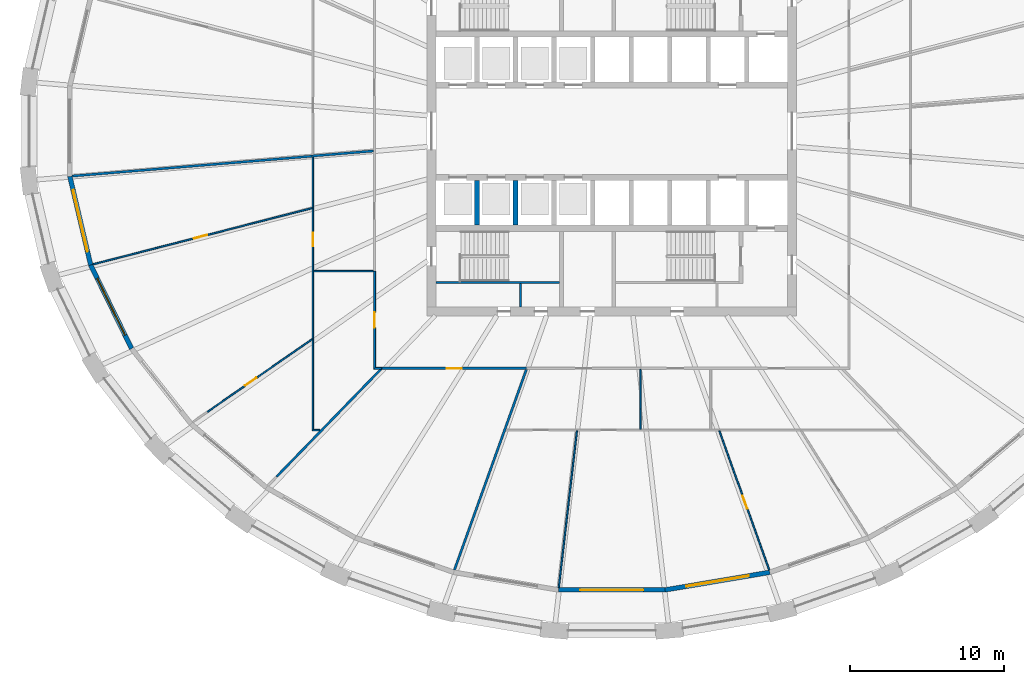
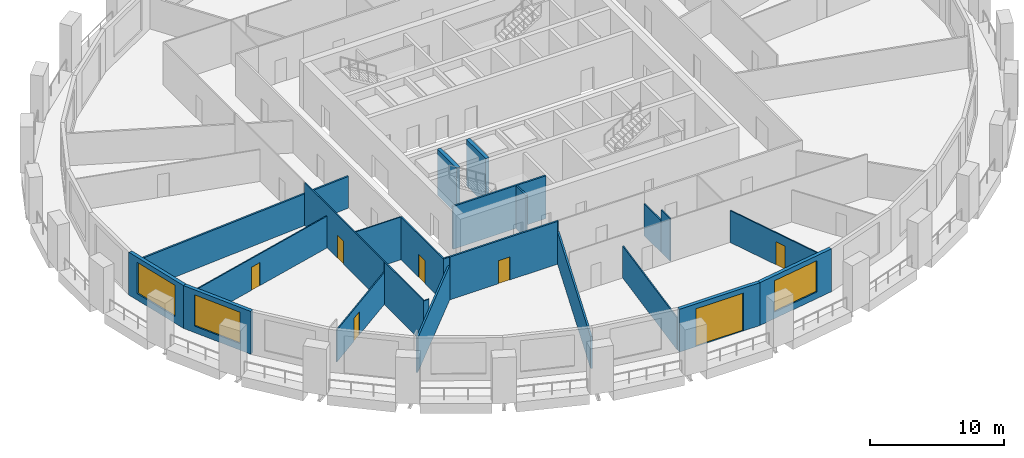
# One storey, part 3 of 12: 24 walls, 7 doors, 3 windows, 10 openings.
"""IFC4 building model written with IfcOpenShell, lengths in metres."""

import ifcopenshell
import ifcopenshell.guid

model = None  # the IFC model being written
_history = None  # IfcOwnerHistory: only IFC2X3 demands one
_inside = {}  # id of a spatial element -> (the spatial element, [elements in it])
_under = {}  # id of a project, library or spatial element -> (it, [spatial elements below it])
_declared = {}  # id of a project -> (the project, [libraries it declares])
_typed = {}  # id of a type object -> (the type object, [elements of that type])
_made_of = {}  # id of a material, layer set ... -> (it, [elements and type objects made of it])


def new_model(schema):
    """Start an empty IFC model of exactly this schema.

    Asked for "IFC4X3", IfcOpenShell would pick the latest addendum, in which some entities
    have other attributes; the version numbers below select the first issue.
    IFC2X3 requires an IfcOwnerHistory on every rooted entity: one is made here for all.
    """
    global model, _history
    if schema == "IFC4X3":
        model = ifcopenshell.file(schema_version=(4, 3, 0, 0))
    else:
        model = ifcopenshell.file(schema=schema)
    _inside.clear()
    _under.clear()
    _declared.clear()
    _typed.clear()
    _made_of.clear()
    _history = None
    if model.schema == "IFC2X3":
        org = make("IfcOrganization", Name="unknown")
        user = make(
            "IfcPersonAndOrganization",
            ThePerson=make("IfcPerson", FamilyName="unknown"),
            TheOrganization=org,
        )
        app = make(
            "IfcApplication",
            ApplicationDeveloper=org,
            Version="unknown",
            ApplicationFullName="unknown",
            ApplicationIdentifier="unknown",
        )
        _history = make(
            "IfcOwnerHistory",
            OwningUser=user,
            OwningApplication=app,
            ChangeAction="ADDED",
            CreationDate=0,
        )
    return model


def make(cls, **values):
    """One entity of the class cls with the attributes given. An attribute that is None is left unset."""
    return model.create_entity(
        cls, **{name: value for name, value in values.items() if value is not None}
    )


def rooted(cls, **values):
    """An entity with a GlobalId (a new one), such as an element, a storey or a relation."""
    return make(cls, GlobalId=ifcopenshell.guid.new(), OwnerHistory=_history, **values)


def si_unit(unit_type, name, prefix=None):
    """IfcSIUnit, for example si_unit("LENGTHUNIT", "METRE", prefix="MILLI")."""
    return make("IfcSIUnit", UnitType=unit_type, Prefix=prefix, Name=name)


def assignment(units):
    """IfcUnitAssignment: the units of a project."""
    return None if units is None else make("IfcUnitAssignment", Units=units)


def point(xyz):
    """IfcCartesianPoint."""
    return None if xyz is None else make("IfcCartesianPoint", Coordinates=xyz)


def direction(xyz):
    """IfcDirection."""
    return None if xyz is None else make("IfcDirection", DirectionRatios=xyz)


def frame(location, z_axis=None, x_axis=None):
    """IfcAxis2Placement3D, a coordinate frame: its origin and axes. An axis left out is left unset."""
    return make(
        "IfcAxis2Placement3D",
        Location=point(location),
        Axis=direction(z_axis),
        RefDirection=direction(x_axis),
    )


def frame_2d(location, x_axis=None):
    """IfcAxis2Placement2D, a coordinate frame in the plane: its origin and x axis."""
    return make(
        "IfcAxis2Placement2D", Location=point(location), RefDirection=direction(x_axis)
    )


def origin():
    """The frame at (0, 0, 0) with its axes left unset."""
    return frame((0.0, 0.0, 0.0))


def place(relative_to, where):
    """IfcLocalPlacement: puts the frame where relative to a parent placement (None: the world)."""
    return make(
        "IfcLocalPlacement", PlacementRelTo=relative_to, RelativePlacement=where
    )


def context(
    kind, dimensions, precision=None, world=None, true_north=None, identifier=None
):
    """IfcGeometricRepresentationContext, for example the 3D "Model" context."""
    return make(
        "IfcGeometricRepresentationContext",
        ContextIdentifier=identifier,
        ContextType=kind,
        CoordinateSpaceDimension=dimensions,
        Precision=precision,
        WorldCoordinateSystem=world,
        TrueNorth=true_north,
    )


def subcontext(parent, identifier, kind, view, scale=None):
    """IfcGeometricRepresentationSubContext, for example "Body" below "Model"."""
    return make(
        "IfcGeometricRepresentationSubContext",
        ContextIdentifier=identifier,
        ContextType=kind,
        ParentContext=parent,
        TargetScale=scale,
        TargetView=view,
    )


def project(units=None, contexts=None):
    """IfcProject with its units and contexts."""
    return rooted(
        "IfcProject",
        Name="project",
        RepresentationContexts=contexts,
        UnitsInContext=assignment(units),
    )


def spatial(cls, under=None, at=None, **own):
    """A site, building, storey or space (cls), placed at a placement, below another one or the project."""
    s = rooted(cls, ObjectPlacement=at, **own)
    if under is not None:
        _under.setdefault(under.id(), (under, []))[1].append(s)
    return s


def polyline(points):
    """IfcPolyline through the points."""
    return make("IfcPolyline", Points=[point(p) for p in points])


def profile(cls, at=None, kind="AREA", **sizes):
    """A parametric profile (cls). Its sizes go by their IFC names, for example OverallWidth=200.0."""
    return make(cls, ProfileType=kind, Position=at, **sizes)


def rectangle(**sizes):
    """IfcRectangleProfileDef."""
    return profile("IfcRectangleProfileDef", **sizes)


def outline(outer, holes=None, kind="AREA"):
    """IfcArbitraryClosedProfileDef: a profile drawn as a closed curve; with holes, ...WithVoids."""
    if holes is None:
        return make("IfcArbitraryClosedProfileDef", ProfileType=kind, OuterCurve=outer)
    return make(
        "IfcArbitraryProfileDefWithVoids",
        ProfileType=kind,
        OuterCurve=outer,
        InnerCurves=holes,
    )


def extrude(swept, where, along, depth):
    """IfcExtrudedAreaSolid: the profile swept, set in the frame where, extruded along a direction by depth."""
    return make(
        "IfcExtrudedAreaSolid",
        SweptArea=swept,
        Position=where,
        ExtrudedDirection=direction(along),
        Depth=depth,
    )


def shape(context_of_items, identifier, shape_type, items):
    """IfcShapeRepresentation: the items that make up one representation, for example the "Body"."""
    return make(
        "IfcShapeRepresentation",
        ContextOfItems=context_of_items,
        RepresentationIdentifier=identifier,
        RepresentationType=shape_type,
        Items=items,
    )


def material(Name=None, Category=None):
    """IfcMaterial."""
    return make("IfcMaterial", Name=Name, Category=Category)


def layer(
    of_material, thickness, ventilated=None, Name=None, Category=None, Priority=None
):
    """IfcMaterialLayer: one layer of a wall or slab, of a material (None: an air gap)."""
    return make(
        "IfcMaterialLayer",
        Material=of_material,
        LayerThickness=thickness,
        IsVentilated=ventilated,
        Name=Name,
        Category=Category,
        Priority=Priority,
    )


def layer_set(layers, Name=None):
    """IfcMaterialLayerSet."""
    return make("IfcMaterialLayerSet", MaterialLayers=layers, LayerSetName=Name)


def made_of(thing, what):
    """Note that an element or type object is made of a material, layer set ...; save() writes the relation."""
    if what is not None:
        _made_of.setdefault(what.id(), (what, []))[1].append(thing)
    return thing


def type_object(cls, material=None, **own):
    """A type object (cls), such as IfcWallType, which elements share."""
    return made_of(rooted(cls, **own), material)


def element(
    cls,
    number,
    at=None,
    inside=None,
    cuts=None,
    type_object=None,
    material=None,
    context=None,
    identifier="Body",
    shape_type=None,
    held_by="IfcProductDefinitionShape",
    body=None,
    shapes=None,
    **own,
):
    """One element of the class cls, such as IfcWall. Its Tag is "e" and its number.

    at: its placement. inside: the storey or other place that contains it. cuts: it is an
    opening in that element (IfcRelVoidsElement). A single representation is given by context,
    identifier, shape_type and body (its items); several are given by shapes. held_by: the class
    of the entity that holds the representations. save() writes the other relations.
    """
    e = rooted(cls, Tag="e%d" % number, ObjectPlacement=at, **own)
    if body is not None:
        shapes = [shape(context, identifier, shape_type, body)]
    if shapes is not None:
        e.Representation = make(held_by, Representations=shapes)
    if inside is not None:
        _inside.setdefault(inside.id(), (inside, []))[1].append(e)
    if cuts is not None:
        rooted(
            "IfcRelVoidsElement", RelatingBuildingElement=cuts, RelatedOpeningElement=e
        )
    if type_object is not None:
        _typed.setdefault(type_object.id(), (type_object, []))[1].append(e)
    return made_of(e, material)


def fill(opening, filler):
    """IfcRelFillsElement: the door or window that sits in an opening."""
    return rooted(
        "IfcRelFillsElement",
        RelatingOpeningElement=opening,
        RelatedBuildingElement=filler,
    )


def aggregate(whole, parts):
    """IfcRelAggregates: a whole, such as a stair, and the parts it consists of."""
    return rooted("IfcRelAggregates", RelatingObject=whole, RelatedObjects=parts)


def save(model, path):
    """Write the relations noted so far, then the file.

    IfcRelAggregates (storeys below a building ...), IfcRelContainedInSpatialStructure (elements
    in a storey), IfcRelDefinesByType, IfcRelAssociatesMaterial and IfcRelDeclares: one each for
    every whole, place, type object, material and project.
    """
    for whole, parts in _under.values():
        aggregate(whole, parts)
    for where, things in _inside.values():
        rooted(
            "IfcRelContainedInSpatialStructure",
            RelatedElements=things,
            RelatingStructure=where,
        )
    for kind, things in _typed.values():
        rooted("IfcRelDefinesByType", RelatedObjects=things, RelatingType=kind)
    for what, things in _made_of.values():
        rooted("IfcRelAssociatesMaterial", RelatedObjects=things, RelatingMaterial=what)
    for by, libraries in _declared.values():
        rooted("IfcRelDeclares", RelatingContext=by, RelatedDefinitions=libraries)
    model.write(path)


model = new_model("IFC4")

# Units and contexts
model_context = context("Model", 3, precision=1e-05, world=origin(), true_north=direction((0.0, 1.0)))
body_context = subcontext(model_context, "Body", "Model", "MODEL_VIEW")
ifc_project = project(units=[si_unit("LENGTHUNIT", "METRE"), si_unit("AREAUNIT", "SQUARE_METRE"), si_unit("VOLUMEUNIT", "CUBIC_METRE"), si_unit("PLANEANGLEUNIT", "RADIAN"), si_unit("MASSUNIT", "GRAM", prefix="KILO")], contexts=[model_context])

# Site, building, storey
site_placement = place(None, origin())
site = spatial("IfcSite", under=ifc_project, at=site_placement, CompositionType="ELEMENT")
building_placement = place(site_placement, origin())
building = spatial("IfcBuilding", under=site, at=building_placement, Name="Halqa Exchange Tower", CompositionType="ELEMENT")
storey_placement = place(building_placement, frame((0.0, 0.0, 27.699951171875)))
storey = spatial("IfcBuildingStorey", under=building, at=storey_placement, Name="L05", CompositionType="ELEMENT", Elevation=27.699951171875)

# Walls
ifc_material_1 = material(Name="Fire-rated gypsum board")
ifc_layer_1 = layer(ifc_material_1, 0.14990234375)
ifc_layer_set_1 = layer_set([ifc_layer_1], Name="Fire-rated gypsum board")
wall_type_1 = type_object("IfcWallType", Name="Fire partition EI 60 150", PredefinedType="PARTITIONING", material=ifc_layer_set_1)
wall_1_placement = place(storey_placement, frame((-19.44921875, -1.6240234375, 0.0), z_axis=(0.0, 0.0, 1.0), x_axis=(-0.996584649275, -0.082577459574, 0.0)))
element("IfcWall", 1, at=wall_1_placement, inside=storey, type_object=wall_type_1, Name="L05-PWL-007", PredefinedType="PARTITIONING", context=body_context, shape_type="SweptSolid", body=[
    extrude(outline(polyline([(15.628173828125, -0.074951171875), (15.628173828125, 0.048095703125), (15.624267578125, 0.074951171875), (13.672119140625, 0.074951171875), (11.719970703125, 0.074951171875), (9.767822265625, 0.074951171875), (7.815673828125, 0.074951171875), (5.863525390625, 0.074951171875), (3.911376953125, 0.074951171875), (1.959228515625, 0.074951171875), (0.007080078125, 0.074951171875), (0.005615234375, 0.05712890625), (0.0, 0.0576171875), (0.0, -0.074951171875), (1.95361328125, -0.074951171875), (3.906982421875, -0.074951171875), (5.860595703125, -0.074951171875), (7.81396484375, -0.074951171875), (9.767578125, -0.074951171875), (11.72119140625, -0.074951171875), (13.674560546875, -0.074951171875), (15.628173828125, -0.074951171875)])), origin(), (0.0, 0.0, 1.0), 2.89208984375),
])
wall_2_placement = place(storey_placement, frame((-15.46923828125, -1.28564453125, 0.0), z_axis=(0.0, 0.0, 1.0), x_axis=(-0.996614549641, -0.082215810186, 0.0)))
element("IfcWall", 2, at=wall_2_placement, inside=storey, type_object=wall_type_1, Name="L05-PWL-016", PredefinedType="PARTITIONING", context=body_context, shape_type="SweptSolid", body=[
    extrude(outline(polyline([(0.0, -0.074951171875), (1.94384765625, -0.074951171875), (3.8876953125, -0.074951171875), (3.888427734375, -0.067138671875), (3.984130859375, -0.074951171875), (3.993896484375, -0.074951171875), (3.993896484375, 0.067626953125), (3.90625, 0.074951171875), (1.959228515625, 0.074951171875), (0.011962890625, 0.074951171875), (0.0, -0.070068359375), (0.0, -0.074951171875)])), origin(), (0.0, 0.0, 1.0), 2.89208984375),
])
wall_3_placement = place(storey_placement, frame((-10.219482421875, -28.489501953125, 0.0), z_axis=(0.0, 0.0, 1.0), x_axis=(0.337910330096, 0.941178308725, 0.0)))
element("IfcWall", 3, at=wall_3_placement, inside=storey, type_object=wall_type_1, Name="L05-PWL-022", PredefinedType="PARTITIONING", context=body_context, shape_type="SweptSolid", body=[
    extrude(outline(polyline([(0.013671875, -0.074951171875), (1.957763671875, -0.074951171875), (3.901611328125, -0.074951171875), (5.845458984375, -0.074951171875), (7.789306640625, -0.074951171875), (9.733154296875, -0.074951171875), (9.737060546875, -0.073486328125), (9.737548828125, -0.074951171875), (11.115234375, -0.074951171875), (12.492919921875, -0.074951171875), (13.87060546875, -0.074951171875), (13.87060546875, -0.07470703125), (13.8525390625, -0.0244140625), (13.8525390625, -0.0244140625), (13.85107421875, -0.020263671875), (13.8369140625, -0.025390625), (13.801025390625, 0.074951171875), (11.829345703125, 0.074951171875), (9.85791015625, 0.074951171875), (7.88623046875, 0.074951171875), (5.914794921875, 0.074951171875), (3.943115234375, 0.074951171875), (1.9716796875, 0.074951171875), (0.0, 0.074951171875), (0.0, 0.06640625), (0.00048828125, -0.00146484375), (0.013671875, -0.074951171875)])), origin(), (0.0, 0.0, 1.0), 2.91015625),
])

# Wall, opening, door
wall_4_placement = place(storey_placement, frame((-5.52001953125, -15.39990234375, 0.0), z_axis=(0.0, 0.0, 1.0), x_axis=(-1.0, 0.0, 0.0)))
wall_4 = element("IfcWall", 4, at=wall_4_placement, inside=storey, type_object=wall_type_1, Name="L05-PWL-025", PredefinedType="PARTITIONING", context=body_context, shape_type="SweptSolid", body=[
    extrude(outline(polyline([(0.0, -0.074951171875), (1.964111328125, -0.074951171875), (3.927978515625, -0.074951171875), (5.89208984375, -0.074951171875), (7.85595703125, -0.074951171875), (9.820068359375, -0.074951171875), (9.820068359375, -0.059814453125), (9.419921875, -0.059814453125), (9.419921875, 0.044677734375), (9.388916015625, 0.074951171875), (7.532470703125, 0.074951171875), (5.676025390625, 0.074951171875), (3.819580078125, 0.074951171875), (1.963134765625, 0.074951171875), (0.1064453125, 0.074951171875), (0.0830078125, 0.009521484375), (0.0, 0.039306640625), (0.0, -0.074951171875)])), origin(), (0.0, 0.0, 1.0), 3.900146484375),
])
opening_1_placement = place(wall_4_placement, frame((4.2099609375, 0.0, 0.0)))
opening_1 = element("IfcOpeningElement", 5, at=opening_1_placement, cuts=wall_4, Name="Opening 01-13", PredefinedType="OPENING", context=body_context, shape_type="SweptSolid", body=[
    extrude(rectangle(XDim=1.0, YDim=2.10009765625, at=frame_2d((0.5, 1.050048828125))), frame((0.0, 0.0869140625, 0.0), z_axis=(0.0, -1.0, 0.0), x_axis=(1.0, 0.0, 0.0)), (0.0, 0.0, 1.0), 0.173828125),
])
ifc_material_2 = material(Name="Steel fire door leaf", Category="steel")
door_type_1 = type_object("IfcDoorType", Name="Fire door FD30S 1000 x 2100", OperationType="SINGLE_SWING_LEFT", PredefinedType="DOOR", material=ifc_material_2)
door_1_placement = place(opening_1_placement, origin())
door_1 = element("IfcDoor", 6, at=door_1_placement, inside=storey, type_object=door_type_1, Name="L05-IDR-013", OperationType="SINGLE_SWING_RIGHT", OverallHeight=2.10009765625, OverallWidth=1.0, PredefinedType="DOOR", context=body_context, shape_type="SweptSolid", body=[
    extrude(rectangle(XDim=1.0, YDim=2.10009765625, at=frame_2d((0.5, 1.050048828125))), frame((0.0, 0.02490234375, 0.0), z_axis=(0.0, -1.0, 0.0), x_axis=(1.0, 0.0, 0.0)), (0.0, 0.0, 1.0), 0.050048828125),
])
fill(opening_1, door_1)

# Wall
wall_5_placement = place(storey_placement, frame((-21.7587890625, -22.42529296875, 0.0), z_axis=(0.0, 0.0, 1.0), x_axis=(0.696482576403, 0.717573704066, 0.0)))
element("IfcWall", 7, at=wall_5_placement, inside=storey, type_object=wall_type_1, Name="L05-PWL-048", PredefinedType="PARTITIONING", context=body_context, shape_type="SweptSolid", body=[
    extrude(outline(polyline([(9.758056640625, -0.074951171875), (9.758056640625, -0.074462890625), (9.736572265625, -0.05224609375), (9.747314453125, -0.041748046875), (9.687744140625, 0.01953125), (9.687744140625, 0.01953125), (9.634033203125, 0.074951171875), (7.781982421875, 0.074951171875), (5.929931640625, 0.074951171875), (4.07763671875, 0.074951171875), (4.07568359375, 0.07275390625), (4.073486328125, 0.074951171875), (2.7158203125, 0.074951171875), (1.35791015625, 0.074951171875), (0.0, 0.074951171875), (0.0, -0.074951171875), (1.95166015625, -0.074951171875), (3.9033203125, -0.074951171875), (5.854736328125, -0.074951171875), (7.806396484375, -0.074951171875), (9.758056640625, -0.074951171875)])), origin(), (0.0, 0.0, 1.0), 3.14697265625),
])

# Wall, opening, door
ifc_material_3 = material(Name="Fire-rated glazing", Category="glass")
ifc_layer_2 = layer(ifc_material_3, 0.1201171875)
ifc_layer_set_2 = layer_set([ifc_layer_2], Name="Fire-rated glazing")
wall_type_2 = type_object("IfcWallType", Name="Glazed fire partition EI 60 120", PredefinedType="PARTITIONING", material=ifc_layer_set_2)
wall_6_placement = place(storey_placement, frame((-15.39990234375, -15.4599609375, 0.0), z_axis=(0.0, 0.0, 1.0), x_axis=(0.0, 1.0, 0.0)))
wall_6 = element("IfcWall", 8, at=wall_6_placement, inside=storey, type_object=wall_type_2, Name="L05-PWL-014", PredefinedType="PARTITIONING", context=body_context, shape_type="SweptSolid", body=[
    extrude(outline(polyline([(6.369873046875, 0.06005859375), (4.77734375, 0.06005859375), (3.18505859375, 0.06005859375), (1.592529296875, 0.06005859375), (0.0, 0.06005859375), (0.1201171875, -0.06005859375), (1.6826171875, -0.06005859375), (3.2451171875, -0.06005859375), (4.807373046875, -0.06005859375), (6.369873046875, -0.06005859375), (6.369873046875, 0.06005859375)])), origin(), (0.0, 0.0, 1.0), 3.900146484375),
])
opening_2_placement = place(wall_6_placement, frame((2.715087890625, 0.0, 0.0)))
opening_2 = element("IfcOpeningElement", 9, at=opening_2_placement, cuts=wall_6, Name="Opening 01-11", PredefinedType="OPENING", context=body_context, shape_type="SweptSolid", body=[
    extrude(rectangle(XDim=1.0, YDim=2.10009765625, at=frame_2d((0.5, 1.050048828125))), frame((0.0, 0.072021484375, 0.0), z_axis=(0.0, -1.0, 0.0), x_axis=(1.0, 0.0, 0.0)), (0.0, 0.0, 1.0), 0.14404296875),
])
door_2_placement = place(opening_2_placement, origin())
door_2 = element("IfcDoor", 10, at=door_2_placement, inside=storey, type_object=door_type_1, Name="L05-IDR-011", OperationType="SINGLE_SWING_LEFT", OverallHeight=2.10009765625, OverallWidth=1.0, PredefinedType="DOOR", context=body_context, shape_type="SweptSolid", body=[
    extrude(rectangle(XDim=1.0, YDim=2.10009765625, at=frame_2d((0.5, 1.050048828125))), frame((0.0, 0.02490234375, 0.0), z_axis=(0.0, -1.0, 0.0), x_axis=(1.0, 0.0, 0.0)), (0.0, 0.0, 1.0), 0.050048828125),
])
fill(opening_2, door_2)

# Wall
wall_7_placement = place(storey_placement, frame((-14.93994140625, -15.39990234375, 0.0), z_axis=(0.0, 0.0, 1.0), x_axis=(-1.0, 0.0, 0.0)))
element("IfcWall", 11, at=wall_7_placement, inside=storey, type_object=wall_type_2, Name="L05-PWL-018", PredefinedType="PARTITIONING", context=body_context, shape_type="SweptSolid", body=[
    extrude(outline(polyline([(0.0, -0.06005859375), (0.39990234375, -0.06005859375), (0.52001953125, 0.06005859375), (0.0, 0.06005859375), (0.0, -0.06005859375)])), origin(), (0.0, 0.0, 1.0), 3.900146484375),
])

# Wall, opening, door
ifc_material_4 = material(Name="Gypsum board")
ifc_layer_3 = layer(ifc_material_4, 0.10009765625)
ifc_layer_set_3 = layer_set([ifc_layer_3], Name="Gypsum board")
wall_type_3 = type_object("IfcWallType", Name="Partition 100 gypsum", PredefinedType="PARTITIONING", material=ifc_layer_set_3)
wall_8_placement = place(storey_placement, frame((-19.39990234375, -19.449951171875, 0.0), z_axis=(0.0, 0.0, 1.0), x_axis=(0.0, 1.0, 0.0)))
wall_8 = element("IfcWall", 12, at=wall_8_placement, inside=storey, type_object=wall_type_3, Name="L05-PWL-003", PredefinedType="PARTITIONING", context=body_context, shape_type="SweptSolid", body=[
    extrude(outline(polyline([(0.10009765625, -0.050048828125), (1.8017578125, -0.050048828125), (3.50341796875, -0.050048828125), (5.205078125, -0.050048828125), (6.90673828125, -0.050048828125), (8.6083984375, -0.050048828125), (10.31005859375, -0.050048828125), (10.31005859375, -0.0498046875), (10.409912109375, -0.0498046875), (10.409912109375, -0.050048828125), (12.24951171875, -0.050048828125), (14.08935546875, -0.050048828125), (15.928955078125, -0.050048828125), (17.7685546875, -0.050048828125), (17.7685546875, -0.046630859375), (17.760986328125, 0.043701171875), (17.7685546875, 0.04443359375), (17.7685546875, 0.045166015625), (17.7509765625, 0.043701171875), (17.75048828125, 0.050048828125), (16.081787109375, 0.050048828125), (14.4130859375, 0.050048828125), (14.406005859375, 0.048095703125), (14.405517578125, 0.050048828125), (12.702392578125, 0.050048828125), (10.999267578125, 0.050048828125), (9.2958984375, 0.050048828125), (7.5927734375, 0.050048828125), (5.8896484375, 0.050048828125), (5.88623046875, 0.047607421875), (5.884521484375, 0.050048828125), (3.9228515625, 0.050048828125), (1.96142578125, 0.050048828125), (0.0, 0.050048828125), (0.099853515625, -0.0498046875), (0.10009765625, -0.050048828125)])), origin(), (0.0, 0.0, 1.0), 3.900146484375),
])
opening_3_placement = place(wall_8_placement, frame((11.965087890625, 0.0, 0.0)))
opening_3 = element("IfcOpeningElement", 13, at=opening_3_placement, cuts=wall_8, Name="Opening 01-25", PredefinedType="OPENING", context=body_context, shape_type="SweptSolid", body=[
    extrude(rectangle(XDim=0.89990234375, YDim=2.10009765625, at=frame_2d((0.449951171875, 1.050048828125))), frame((0.0, 0.06201171875, 0.0), z_axis=(0.0, -1.0, 0.0), x_axis=(1.0, 0.0, 0.0)), (0.0, 0.0, 1.0), 0.1240234375),
])
ifc_material_5 = material(Name="Timber door leaf", Category="wood")
door_type_2 = type_object("IfcDoorType", Name="Door 900 x 2100", OperationType="SINGLE_SWING_LEFT", PredefinedType="DOOR", material=ifc_material_5)
door_3_placement = place(opening_3_placement, frame((0.89990234375, 0.0, 0.0), z_axis=(0.0, 0.0, 1.0), x_axis=(-1.0, 0.0, 0.0)))
door_3 = element("IfcDoor", 14, at=door_3_placement, inside=storey, type_object=door_type_2, Name="L05-IDR-025", OperationType="SINGLE_SWING_LEFT", OverallHeight=2.10009765625, OverallWidth=0.89990234375, PredefinedType="DOOR", context=body_context, shape_type="SweptSolid", body=[
    extrude(rectangle(XDim=0.89990234375, YDim=2.10009765625, at=frame_2d((0.449951171875, 1.050048828125))), frame((0.0, 0.02490234375, 0.0), z_axis=(0.0, -1.0, 0.0), x_axis=(1.0, 0.0, 0.0)), (0.0, 0.0, 1.0), 0.050048828125),
])
fill(opening_3, door_3)

wall_9_placement = place(storey_placement, frame((-19.421875, -13.485107421875, 0.0), z_axis=(0.0, 0.0, 1.0), x_axis=(-0.821711016695, -0.569904382368, 0.0)))
wall_9 = element("IfcWall", 15, at=wall_9_placement, inside=storey, type_object=wall_type_3, Name="L05-PWL-004", PredefinedType="PARTITIONING", context=body_context, shape_type="SweptSolid", body=[
    extrude(outline(polyline([(8.334228515625, 0.050048828125), (6.68115234375, 0.050048828125), (5.028076171875, 0.050048828125), (3.375, 0.050048828125), (1.721923828125, 0.050048828125), (0.06884765625, 0.050048828125), (0.0, -0.04931640625), (0.0, -0.050048828125), (1.666748046875, -0.050048828125), (3.333740234375, -0.050048828125), (5.00048828125, -0.050048828125), (6.66748046875, -0.050048828125), (8.334228515625, -0.050048828125), (8.334228515625, 0.050048828125)])), origin(), (0.0, 0.0, 1.0), 2.91015625),
])
opening_4_placement = place(wall_9_placement, frame((4.427978515625, 0.0, 0.0)))
opening_4 = element("IfcOpeningElement", 16, at=opening_4_placement, cuts=wall_9, Name="Opening 01-27", PredefinedType="OPENING", context=body_context, shape_type="SweptSolid", body=[
    extrude(rectangle(XDim=0.89990234375, YDim=2.10009765625, at=frame_2d((0.449951171875, 1.050048828125))), frame((0.0, 0.06201171875, 0.0), z_axis=(0.0, -1.0, 0.0), x_axis=(1.0, 0.0, 0.0)), (0.0, 0.0, 1.0), 0.1240234375),
])
door_4_placement = place(opening_4_placement, origin())
door_4 = element("IfcDoor", 17, at=door_4_placement, inside=storey, type_object=door_type_2, Name="L05-IDR-027", OperationType="SINGLE_SWING_RIGHT", OverallHeight=2.10009765625, OverallWidth=0.89990234375, PredefinedType="DOOR", context=body_context, shape_type="SweptSolid", body=[
    extrude(rectangle(XDim=0.89990234375, YDim=2.10009765625, at=frame_2d((0.449951171875, 1.050048828125))), frame((0.0, 0.02490234375, 0.0), z_axis=(0.0, -1.0, 0.0), x_axis=(1.0, 0.0, 0.0)), (0.0, 0.0, 1.0), 0.050048828125),
])
fill(opening_4, door_4)

# Wall
wall_10_placement = place(storey_placement, frame((-19.35009765625, -9.090087890625, 0.0), z_axis=(0.0, 0.0, 1.0), x_axis=(1.0, 0.0, 0.0)))
element("IfcWall", 18, at=wall_10_placement, inside=storey, type_object=wall_type_3, Name="L05-PWL-005", PredefinedType="PARTITIONING", context=body_context, shape_type="SweptSolid", body=[
    extrude(outline(polyline([(3.8896484375, -0.050048828125), (3.8896484375, 0.0), (3.875, 0.0), (3.875, 0.050048828125), (1.9375, 0.050048828125), (0.0, 0.050048828125), (0.0, -0.050048828125), (1.94482421875, -0.050048828125), (3.8896484375, -0.050048828125)])), origin(), (0.0, 0.0, 1.0), 3.900146484375),
])

# Wall, opening, door
wall_11_placement = place(storey_placement, frame((-19.437744140625, -4.98974609375, 0.0), z_axis=(0.0, 0.0, 1.0), x_axis=(-0.968638974519, -0.248472407007, 0.0)))
wall_11 = element("IfcWall", 19, at=wall_11_placement, inside=storey, type_object=wall_type_3, Name="L05-PWL-006", PredefinedType="PARTITIONING", context=body_context, shape_type="SweptSolid", body=[
    extrude(outline(polyline([(14.7060546875, -0.050048828125), (14.7060546875, 0.004150390625), (14.696533203125, 0.050048828125), (12.862548828125, 0.050048828125), (11.02880859375, 0.050048828125), (9.19482421875, 0.050048828125), (7.361083984375, 0.050048828125), (5.527099609375, 0.050048828125), (3.693359375, 0.050048828125), (1.859375, 0.050048828125), (0.025390625, 0.050048828125), (0.0, -0.04931640625), (0.0, -0.050048828125), (1.83837890625, -0.050048828125), (3.676513671875, -0.050048828125), (5.5146484375, -0.050048828125), (7.35302734375, -0.050048828125), (9.19140625, -0.050048828125), (11.029541015625, -0.050048828125), (12.86767578125, -0.050048828125), (14.7060546875, -0.050048828125)])), origin(), (0.0, 0.0, 1.0), 2.89208984375),
])
opening_5_placement = place(wall_11_placement, frame((7.037109375, 0.0, 0.0)))
opening_5 = element("IfcOpeningElement", 20, at=opening_5_placement, cuts=wall_11, Name="Opening 01-26", PredefinedType="OPENING", context=body_context, shape_type="SweptSolid", body=[
    extrude(rectangle(XDim=0.89990234375, YDim=2.10009765625, at=frame_2d((0.449951171875, 1.050048828125))), frame((0.0, 0.06201171875, 0.0), z_axis=(0.0, -1.0, 0.0), x_axis=(1.0, 0.0, 0.0)), (0.0, 0.0, 1.0), 0.1240234375),
])
door_5_placement = place(opening_5_placement, frame((0.89990234375, 0.0, 0.0), z_axis=(0.0, 0.0, 1.0), x_axis=(-1.0, 0.0, 0.0)))
door_5 = element("IfcDoor", 21, at=door_5_placement, inside=storey, type_object=door_type_2, Name="L05-IDR-026", OperationType="SINGLE_SWING_LEFT", OverallHeight=2.10009765625, OverallWidth=0.89990234375, PredefinedType="DOOR", context=body_context, shape_type="SweptSolid", body=[
    extrude(rectangle(XDim=0.89990234375, YDim=2.10009765625, at=frame_2d((0.449951171875, 1.050048828125))), frame((0.0, 0.02490234375, 0.0), z_axis=(0.0, -1.0, 0.0), x_axis=(1.0, 0.0, 0.0)), (0.0, 0.0, 1.0), 0.050048828125),
])
fill(opening_5, door_5)

# Walls
wall_12_placement = place(storey_placement, frame((-18.972412109375, -19.39990234375, 0.0), z_axis=(0.0, 0.0, 1.0), x_axis=(-1.0, 0.0, 0.0)))
element("IfcWall", 22, at=wall_12_placement, inside=storey, type_object=wall_type_3, Name="L05-PWL-012", PredefinedType="PARTITIONING", context=body_context, shape_type="SweptSolid", body=[
    extrude(outline(polyline([(0.0, -0.050048828125), (0.37744140625, -0.050048828125), (0.4775390625, 0.050048828125), (0.0, 0.050048828125), (0.0, -0.050048828125)])), origin(), (0.0, 0.0, 1.0), 3.900146484375),
])
wall_13_placement = place(storey_placement, frame((-3.44482421875, -29.6259765625, 0.0), z_axis=(0.0, 0.0, 1.0), x_axis=(0.115096942751, 0.993354263981, 0.0)))
element("IfcWall", 23, at=wall_13_placement, inside=storey, type_object=wall_type_3, Name="L05-PWL-027", PredefinedType="PARTITIONING", context=body_context, shape_type="SweptSolid", body=[
    extrude(outline(polyline([(10.24951171875, -0.050048828125), (10.24951171875, -0.047119140625), (10.23828125, 0.050048828125), (8.531982421875, 0.050048828125), (6.825439453125, 0.050048828125), (5.119140625, 0.050048828125), (3.412841796875, 0.050048828125), (1.706298828125, 0.050048828125), (0.0, 0.050048828125), (0.0, -0.017578125), (0.003662109375, -0.050048828125), (1.71142578125, -0.050048828125), (3.4189453125, -0.050048828125), (5.126708984375, -0.050048828125), (6.834228515625, -0.050048828125), (8.5419921875, -0.050048828125), (10.24951171875, -0.050048828125)])), origin(), (0.0, 0.0, 1.0), 2.91015625),
])
wall_14_placement = place(storey_placement, frame((1.8701171875, -15.46044921875, 0.0), z_axis=(0.0, 0.0, 1.0), x_axis=(0.0, -1.0, 0.0)))
element("IfcWall", 24, at=wall_14_placement, inside=storey, type_object=wall_type_3, Name="L05-PWL-029", PredefinedType="PARTITIONING", context=body_context, shape_type="SweptSolid", body=[
    extrude(outline(polyline([(2.58251953125, 0.050048828125), (1.298583984375, 0.050048828125), (0.0146484375, 0.050048828125), (0.0146484375, 0.0), (0.0, 0.0), (0.0, -0.050048828125), (1.291259765625, -0.050048828125), (2.58251953125, -0.050048828125), (2.58251953125, 0.050048828125)])), origin(), (0.0, 0.0, 1.0), 2.91015625),
])

# Wall, opening, door
wall_15_placement = place(storey_placement, frame((6.971923828125, -19.433349609375, 0.0), z_axis=(0.0, 0.0, 1.0), x_axis=(0.337548274923, -0.941308218437, 0.0)))
wall_15 = element("IfcWall", 25, at=wall_15_placement, inside=storey, type_object=wall_type_3, Name="L05-PWL-033", PredefinedType="PARTITIONING", context=body_context, shape_type="SweptSolid", body=[
    extrude(outline(polyline([(0.0, -0.050048828125), (1.92236328125, -0.050048828125), (3.8447265625, -0.050048828125), (5.766845703125, -0.050048828125), (7.689208984375, -0.050048828125), (9.611572265625, -0.050048828125), (9.620361328125, -0.001220703125), (9.620361328125, 0.002197265625), (9.620361328125, 0.050048828125), (7.703369140625, 0.050048828125), (5.786376953125, 0.050048828125), (3.86962890625, 0.050048828125), (1.95263671875, 0.050048828125), (0.03564453125, 0.050048828125), (0.0, -0.04931640625), (0.0, -0.050048828125)])), origin(), (0.0, 0.0, 1.0), 2.91015625),
])
opening_6_placement = place(wall_15_placement, frame((4.49169921875, 0.0, 0.0)))
opening_6 = element("IfcOpeningElement", 26, at=opening_6_placement, cuts=wall_15, Name="Opening 01-30", PredefinedType="OPENING", context=body_context, shape_type="SweptSolid", body=[
    extrude(rectangle(XDim=0.89990234375, YDim=2.10009765625, at=frame_2d((0.449951171875, 1.050048828125))), frame((0.0, 0.06201171875, 0.0), z_axis=(0.0, -1.0, 0.0), x_axis=(1.0, 0.0, 0.0)), (0.0, 0.0, 1.0), 0.1240234375),
])
door_6_placement = place(opening_6_placement, origin())
door_6 = element("IfcDoor", 27, at=door_6_placement, inside=storey, type_object=door_type_2, Name="L05-IDR-030", OperationType="SINGLE_SWING_RIGHT", OverallHeight=2.10009765625, OverallWidth=0.89990234375, PredefinedType="DOOR", context=body_context, shape_type="SweptSolid", body=[
    extrude(rectangle(XDim=0.89990234375, YDim=2.10009765625, at=frame_2d((0.449951171875, 1.050048828125))), frame((0.0, 0.02490234375, 0.0), z_axis=(0.0, -1.0, 0.0), x_axis=(1.0, 0.0, 0.0)), (0.0, 0.0, 1.0), 0.050048828125),
])
fill(opening_6, door_6)

# Walls
wall_16_placement = place(storey_placement, frame((1.8701171875, -18.04296875, 0.0), z_axis=(0.0, 0.0, 1.0), x_axis=(0.0, -1.0, 0.0)))
element("IfcWall", 28, at=wall_16_placement, inside=storey, type_object=wall_type_3, Name="L05-PWL-050", PredefinedType="PARTITIONING", context=body_context, shape_type="SweptSolid", body=[
    extrude(outline(polyline([(0.0, -0.050048828125), (1.30712890625, -0.050048828125), (1.30712890625, 0.050048828125), (0.0, 0.050048828125), (0.0, -0.050048828125)])), origin(), (0.0, 0.0, 1.0), 3.900146484375),
])
ifc_layer_4 = layer(ifc_material_4, 0.14990234375)
ifc_layer_set_4 = layer_set([ifc_layer_4], Name="Gypsum board")
wall_type_4 = type_object("IfcWallType", Name="Penthouse riser wall 150 gypsum", PredefinedType="PARTITIONING", material=ifc_layer_set_4)
wall_17_placement = place(storey_placement, frame((-5.925048828125, -11.39990234375, 0.0), z_axis=(0.0, 0.0, 1.0), x_axis=(0.0, 1.0, 0.0)))
element("IfcWall", 29, at=wall_17_placement, inside=storey, type_object=wall_type_4, Name="Partition W5.925 S", PredefinedType="PARTITIONING", context=body_context, shape_type="SweptSolid", body=[
    extrude(rectangle(XDim=1.5, YDim=0.14990234375, at=frame_2d((0.75, 0.0))), origin(), (0.0, 0.0, 1.0), 3.900146484375),
])
ifc_material_6 = material(Name="Concrete C60/75", Category="concrete")
ifc_layer_5 = layer(ifc_material_6, 0.300048828125)
ifc_layer_set_5 = layer_set([ifc_layer_5], Name="Concrete C60/75")
wall_type_5 = type_object("IfcWallType", Name="RC core wall 300", PredefinedType="SHEAR", material=ifc_layer_set_5)
for number, where, z_axis, x_axis, name in (
    (30, (-8.75, -6.10009765625, 0.0), (0.0, 0.0, 1.0), (0.0, 1.0, 0.0), "Shaft divider S1"),
    (31, (-6.25, -6.10009765625, 0.0), (0.0, 0.0, 1.0), (0.0, 1.0, 0.0), "Shaft divider S2"),
):
    element("IfcWall", number, at=place(storey_placement, frame(where, z_axis=z_axis, x_axis=x_axis)), inside=storey, type_object=wall_type_5, Name=name, PredefinedType="SHEAR", context=body_context, shape_type="SweptSolid", body=[
        extrude(rectangle(XDim=2.900146484375, YDim=0.300048828125, at=frame_2d((1.4501953125, 0.0))), origin(), (0.0, 0.0, 1.0), 4.199951171875),
    ])
ifc_material_7 = material(Name="Concrete C30/37", Category="concrete")
ifc_layer_6 = layer(ifc_material_7, 0.14990234375)
ifc_layer_set_6 = layer_set([ifc_layer_6], Name="Concrete C30/37")
wall_type_6 = type_object("IfcWallType", Name="RC stair wall 150 C30/37", PredefinedType="SHEAR", material=ifc_layer_set_6)
wall_18_placement = place(storey_placement, frame((-11.39990234375, -9.824951171875, 0.0), z_axis=(0.0, 0.0, 1.0), x_axis=(1.0, 0.0, 0.0)))
element("IfcWall", 32, at=wall_18_placement, inside=storey, type_object=wall_type_6, Name="Stair ST1 north wall S", PredefinedType="SHEAR", context=body_context, shape_type="SweptSolid", body=[
    extrude(rectangle(XDim=8.0, YDim=0.14990234375, at=frame_2d((4.0, 0.0))), origin(), (0.0, 0.0, 1.0), 3.900146484375),
])

# Wall, opening, window
ifc_material_8 = material(Name="Limestone cladding", Category="masonry")
ifc_layer_7 = layer(ifc_material_8, 0.0400390625)
ifc_material_9 = material(Name="Ventilated cavity")
ifc_layer_8 = layer(ifc_material_9, 0.030029296875, ventilated=True)
ifc_material_10 = material(Name="Mineral wool insulation")
ifc_layer_9 = layer(ifc_material_10, 0.10009765625)
ifc_layer_10 = layer(ifc_material_7, 0.10009765625)
ifc_material_11 = material(Name="Internal plaster")
ifc_layer_11 = layer(ifc_material_11, 0.030029296875)
ifc_layer_set_7 = layer_set([ifc_layer_7, ifc_layer_8, ifc_layer_9, ifc_layer_10, ifc_layer_11], Name="Stone-faced insulated wall 300")
wall_type_7 = type_object("IfcWallType", Name="Stone-faced insulated wall 300", PredefinedType="STANDARD", material=ifc_layer_set_7)
wall_19_placement = place(storey_placement, frame((-35.180419921875, -2.935546875, 0.0), z_axis=(0.0, 0.0, 1.0), x_axis=(0.228924296831, -0.973444228665, 0.0)))
wall_19 = element("IfcWall", 33, at=wall_19_placement, inside=storey, type_object=wall_type_7, Name="Glass-line wall 17", PredefinedType="STANDARD", context=body_context, shape_type="SweptSolid", body=[
    extrude(outline(polyline([(-0.017333984375, -0.14990234375), (5.931396484375, -0.14990234375), (5.897705078125, 0.14990234375), (0.017333984375, 0.14990234375), (-0.017333984375, -0.14990234375)])), origin(), (0.0, 0.0, 1.0), 3.900146484375),
])
opening_7_placement = place(wall_19_placement, frame((0.9072265625, 0.0, 0.60009765625)))
opening_7 = element("IfcOpeningElement", 34, at=opening_7_placement, cuts=wall_19, Name="Opening W-F1-17", PredefinedType="OPENING", context=body_context, shape_type="SweptSolid", body=[
    extrude(rectangle(XDim=4.10009765625, YDim=2.85009765625, at=frame_2d((2.050048828125, 1.425048828125))), frame((0.0, 0.162109375, 0.0), z_axis=(0.0, -1.0, 0.0), x_axis=(1.0, 0.0, 0.0)), (0.0, 0.0, 1.0), 0.323974609375),
])
ifc_material_12 = material(Name="Clear low-emissivity glass in aluminium frame", Category="aluminium")
window_type = type_object("IfcWindowType", Name="Fixed clear glazed window 4100 x 2850", PartitioningType="TRIPLE_PANEL_VERTICAL", PredefinedType="WINDOW", material=ifc_material_12)
window_1_placement = place(opening_7_placement, origin())
window_1 = element("IfcWindow", 35, at=window_1_placement, inside=storey, type_object=window_type, Name="Window 1", OverallHeight=2.85009765625, OverallWidth=4.10009765625, PartitioningType="TRIPLE_PANEL_VERTICAL", PredefinedType="WINDOW", context=body_context, shape_type="SweptSolid", body=[
    extrude(rectangle(XDim=4.10009765625, YDim=2.85009765625, at=frame_2d((2.050048828125, 1.425048828125))), frame((0.0, 0.030029296875, 0.0), z_axis=(0.0, -1.0, 0.0), x_axis=(1.0, 0.0, 0.0)), (0.0, 0.0, 1.0), 0.06005859375),
])
fill(opening_7, window_1)

wall_20_placement = place(storey_placement, frame((-33.826416015625, -8.693115234375, 0.0), z_axis=(0.0, 0.0, 1.0), x_axis=(0.439821516427, -0.898085204025, 0.0)))
wall_20 = element("IfcWall", 36, at=wall_20_placement, inside=storey, type_object=wall_type_7, Name="Glass-line wall 18", PredefinedType="STANDARD", context=body_context, shape_type="SweptSolid", body=[
    extrude(outline(polyline([(-0.016845703125, -0.14990234375), (6.052734375, -0.14990234375), (6.0205078125, 0.14990234375), (0.016845703125, 0.14990234375), (-0.016845703125, -0.14990234375)])), origin(), (0.0, 0.0, 1.0), 3.900146484375),
])
opening_8_placement = place(wall_20_placement, frame((0.968505859375, 0.0, 0.60009765625)))
opening_8 = element("IfcOpeningElement", 37, at=opening_8_placement, cuts=wall_20, Name="Opening W-F1-18", PredefinedType="OPENING", context=body_context, shape_type="SweptSolid", body=[
    extrude(rectangle(XDim=4.10009765625, YDim=2.85009765625, at=frame_2d((2.050048828125, 1.425048828125))), frame((0.0, 0.162109375, 0.0), z_axis=(0.0, -1.0, 0.0), x_axis=(1.0, 0.0, 0.0)), (0.0, 0.0, 1.0), 0.323974609375),
])
window_2_placement = place(opening_8_placement, origin())
window_2 = element("IfcWindow", 38, at=window_2_placement, inside=storey, type_object=window_type, Name="Window 1", OverallHeight=2.85009765625, OverallWidth=4.10009765625, PartitioningType="TRIPLE_PANEL_VERTICAL", PredefinedType="WINDOW", context=body_context, shape_type="SweptSolid", body=[
    extrude(rectangle(XDim=4.10009765625, YDim=2.85009765625, at=frame_2d((2.050048828125, 1.425048828125))), frame((0.0, 0.030029296875, 0.0), z_axis=(0.0, -1.0, 0.0), x_axis=(1.0, 0.0, 0.0)), (0.0, 0.0, 1.0), 0.06005859375),
])
fill(opening_8, window_2)

# Wall, opening, door
wall_21_placement = place(storey_placement, frame((-3.462646484375, -29.778076171875, 0.0), z_axis=(0.0, 0.0, 1.0), x_axis=(1.0, 0.0, 0.0)))
wall_21 = element("IfcWall", 39, at=wall_21_placement, inside=storey, type_object=wall_type_7, Name="Glass-line wall 24", PredefinedType="STANDARD", context=body_context, shape_type="SweptSolid", body=[
    extrude(outline(polyline([(-0.012451171875, -0.14990234375), (6.937744140625, -0.14990234375), (6.912841796875, 0.14990234375), (0.012451171875, 0.14990234375), (-0.012451171875, -0.14990234375)])), origin(), (0.0, 0.0, 1.0), 3.900146484375),
])
opening_9_placement = place(wall_21_placement, frame((1.41259765625, 0.0, 0.0)))
opening_9 = element("IfcOpeningElement", 40, at=opening_9_placement, cuts=wall_21, Name="Opening LG-F1-06", PredefinedType="OPENING", context=body_context, shape_type="SweptSolid", body=[
    extrude(rectangle(XDim=4.10009765625, YDim=3.449951171875, at=frame_2d((2.050048828125, 1.72509765625))), frame((0.0, 0.162109375, 0.0), z_axis=(0.0, -1.0, 0.0), x_axis=(1.0, 0.0, 0.0)), (0.0, 0.0, 1.0), 0.323974609375),
])
door_type_3 = type_object("IfcDoorType", Name="Glazed sliding loggia door 4100 x 3450", OperationType="DOUBLE_DOOR_SLIDING", PredefinedType="DOOR", material=ifc_material_12)
door_7_placement = place(opening_9_placement, origin())
door_7 = element("IfcDoor", 41, at=door_7_placement, inside=storey, type_object=door_type_3, Name="Loggia door 6", OperationType="DOUBLE_DOOR_SLIDING", OverallHeight=3.449951171875, OverallWidth=4.10009765625, PredefinedType="DOOR", context=body_context, shape_type="SweptSolid", body=[
    extrude(rectangle(XDim=4.10009765625, YDim=3.449951171875, at=frame_2d((2.050048828125, 1.72509765625))), frame((0.0, 0.02490234375, 0.0), z_axis=(0.0, -1.0, 0.0), x_axis=(1.0, 0.0, 0.0)), (0.0, 0.0, 1.0), 0.050048828125),
])
fill(opening_9, door_7)

# Wall, opening, window
wall_22_placement = place(storey_placement, frame((3.462646484375, -29.778076171875, 0.0), z_axis=(0.0, 0.0, 1.0), x_axis=(0.986141805867, 0.165904607291, 0.0)))
wall_22 = element("IfcWall", 42, at=wall_22_placement, inside=storey, type_object=wall_type_7, Name="Glass-line wall 25", PredefinedType="STANDARD", context=body_context, shape_type="SweptSolid", body=[
    extrude(outline(polyline([(-0.012451171875, -0.14990234375), (6.901123046875, -0.14990234375), (6.875732421875, 0.14990234375), (0.012451171875, 0.14990234375), (-0.012451171875, -0.14990234375)])), origin(), (0.0, 0.0, 1.0), 3.900146484375),
])
opening_10_placement = place(wall_22_placement, frame((1.39404296875, 0.0, 0.60009765625)))
opening_10 = element("IfcOpeningElement", 43, at=opening_10_placement, cuts=wall_22, Name="Opening W-F1-25", PredefinedType="OPENING", context=body_context, shape_type="SweptSolid", body=[
    extrude(rectangle(XDim=4.10009765625, YDim=2.85009765625, at=frame_2d((2.050048828125, 1.425048828125))), frame((0.0, 0.162109375, 0.0), z_axis=(0.0, -1.0, 0.0), x_axis=(1.0, 0.0, 0.0)), (0.0, 0.0, 1.0), 0.323974609375),
])
window_3_placement = place(opening_10_placement, origin())
window_3 = element("IfcWindow", 44, at=window_3_placement, inside=storey, type_object=window_type, Name="Window 1", OverallHeight=2.85009765625, OverallWidth=4.10009765625, PartitioningType="TRIPLE_PANEL_VERTICAL", PredefinedType="WINDOW", context=body_context, shape_type="SweptSolid", body=[
    extrude(rectangle(XDim=4.10009765625, YDim=2.85009765625, at=frame_2d((2.050048828125, 1.425048828125))), frame((0.0, 0.030029296875, 0.0), z_axis=(0.0, -1.0, 0.0), x_axis=(1.0, 0.0, 0.0)), (0.0, 0.0, 1.0), 0.06005859375),
])
fill(opening_10, window_3)

save(model, "model.ifc")
